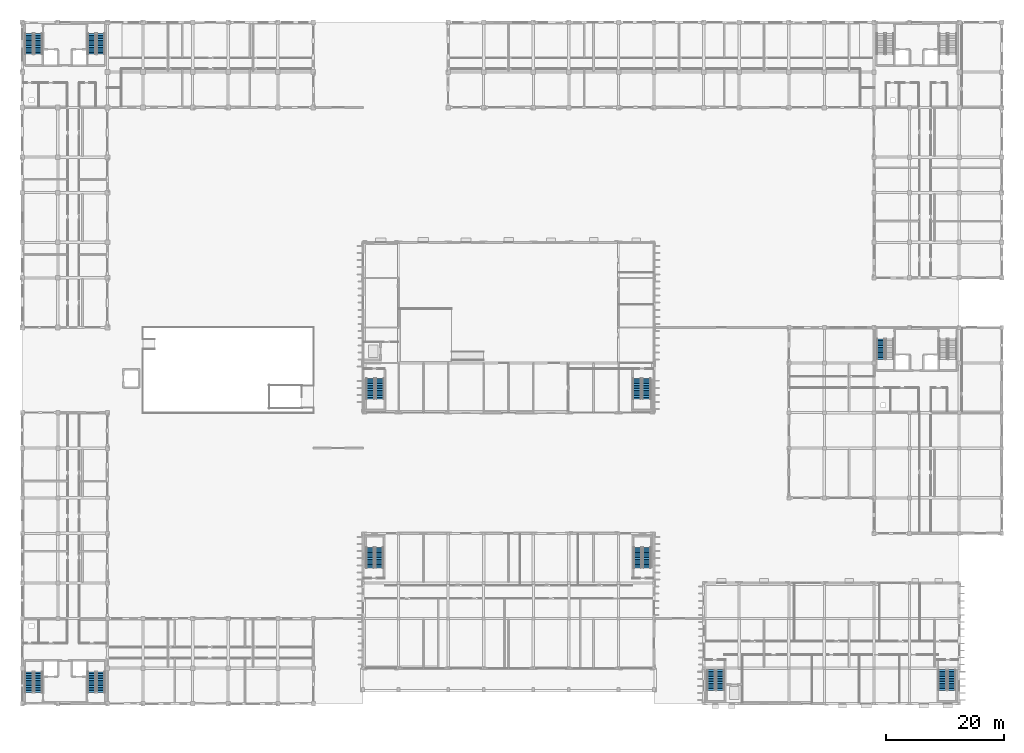
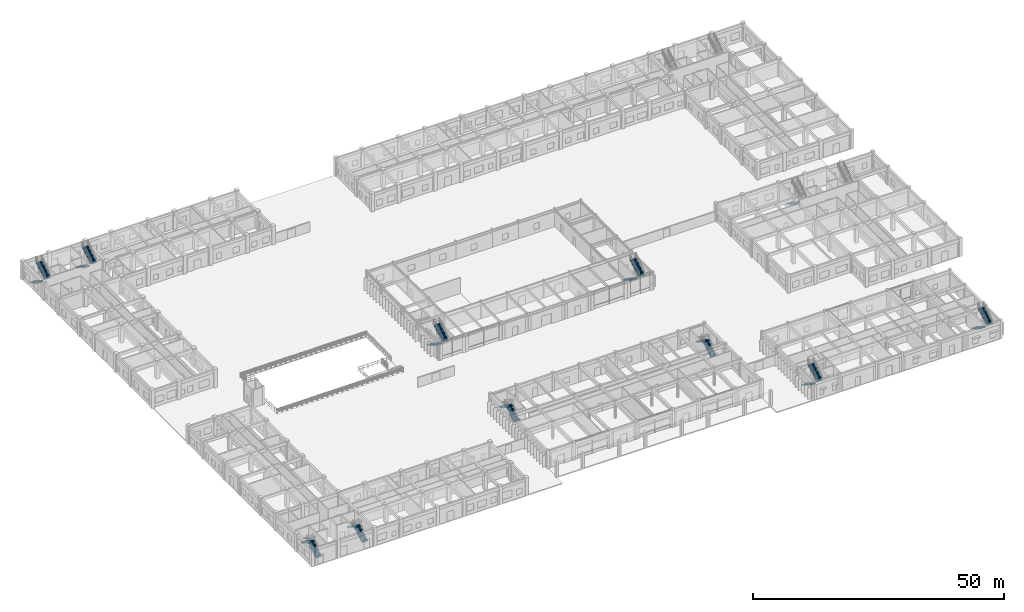
# One storey, part 49 of 67: 21 stair flights, 11 elements without a shape of their own.
"""IFC4 building model written with IfcOpenShell, lengths in metres."""

from ifc_helpers import new_model, si_unit, direction, frame, origin, place, context, subcontext, project, spatial, polyline, outline, extrude, material, type_object, element, aggregate, save


model = new_model("IFC4")

# Units and contexts
model_context = context("Model", 3, precision=1e-05, world=origin(), true_north=direction((0.0, 1.0)))
body_context = subcontext(model_context, "Body", "Model", "MODEL_VIEW")
ifc_project = project(units=[si_unit("LENGTHUNIT", "METRE"), si_unit("AREAUNIT", "SQUARE_METRE"), si_unit("VOLUMEUNIT", "CUBIC_METRE"), si_unit("PLANEANGLEUNIT", "RADIAN"), si_unit("MASSUNIT", "GRAM", prefix="KILO"), si_unit("THERMODYNAMICTEMPERATUREUNIT", "KELVIN")], contexts=[model_context])

# Site, building, storey
site_placement = place(None, origin())
site = spatial("IfcSite", under=ifc_project, at=site_placement, CompositionType="ELEMENT")
building_placement = place(site_placement, origin())
building = spatial("IfcBuilding", under=site, at=building_placement, Name="Thalorik Housing Commons", CompositionType="ELEMENT")
storey_placement = place(building_placement, origin())
storey = spatial("IfcBuildingStorey", under=building, at=storey_placement, Name="L00", CompositionType="ELEMENT", Elevation=0.0)

# Stair, stair flights
ifc_material = material(Name="Precast concrete C40/50", Category="concrete")
stair_type_1 = type_object("IfcStairType", Name="ARC-STR-1350-R26", PredefinedType="HALF_TURN_STAIR", material=ifc_material)
stair_1_placement = place(storey_placement, origin())
stair_1 = element("IfcStair", 1, at=stair_1_placement, inside=storey, type_object=stair_type_1, Name="L00 Block A Smoke-Proof Stair 1", PredefinedType="HALF_TURN_STAIR")
stair_flight_type_1 = type_object("IfcStairFlightType", Name="ARC-SFLT-1350-R13", PredefinedType="STRAIGHT", material=ifc_material)
stair_flight_1_placement = place(storey_placement, frame((9.52490234375, 121.699951171875, 0.0), z_axis=(0.0, 0.0, 1.0), x_axis=(0.0, -1.0, 0.0)))
stair_flight_1 = element("IfcStairFlight", 2, at=stair_flight_1_placement, type_object=stair_flight_type_1, Name="ST-A1 flight 1", NumberOfRisers=13, NumberOfTreads=12, PredefinedType="STRAIGHT", RiserHeight=0.173076923, TreadLength=0.29, context=body_context, shape_type="SweptSolid", body=[
    extrude(outline(polyline([(0.0, 0.0), (0.0, 0.173095703125), (0.2900390625, 0.173095703125), (0.2900390625, 0.34619140625), (0.580078125, 0.34619140625), (0.580078125, 0.519287109375), (0.8701171875, 0.519287109375), (0.8701171875, 0.6923828125), (1.159912109375, 0.6923828125), (1.159912109375, 0.865478515625), (1.449951171875, 0.865478515625), (1.449951171875, 1.03857421875), (1.739990234375, 1.03857421875), (1.739990234375, 1.21142578125), (2.030029296875, 1.21142578125), (2.030029296875, 1.384521484375), (2.320068359375, 1.384521484375), (2.320068359375, 1.5576171875), (2.610107421875, 1.5576171875), (2.610107421875, 1.730712890625), (2.89990234375, 1.730712890625), (2.89990234375, 1.90380859375), (3.18994140625, 1.90380859375), (3.18994140625, 2.076904296875), (3.47998046875, 2.076904296875), (3.47998046875, 2.25), (3.47998046875, 1.890625), (0.31201171875, 0.0), (0.0, 0.0)])), frame((0.0, 0.675048828125, 0.0), z_axis=(0.0, -1.0, 0.0), x_axis=(1.0, 0.0, 0.0)), (0.0, 0.0, 1.0), 1.35009765625),
])
stair_flight_2_placement = place(storey_placement, frame((11.074951171875, 118.219970703125, 2.25), z_axis=(0.0, 0.0, 1.0), x_axis=(0.0, 1.0, 0.0)))
stair_flight_2 = element("IfcStairFlight", 3, at=stair_flight_2_placement, type_object=stair_flight_type_1, Name="ST-A1 flight 2", NumberOfRisers=13, NumberOfTreads=12, PredefinedType="STRAIGHT", RiserHeight=0.173076923, TreadLength=0.29, context=body_context, shape_type="SweptSolid", body=[
    extrude(outline(polyline([(0.0, 0.0), (0.0, 0.173095703125), (0.2900390625, 0.173095703125), (0.2900390625, 0.34619140625), (0.580078125, 0.34619140625), (0.580078125, 0.519287109375), (0.8701171875, 0.519287109375), (0.8701171875, 0.6923828125), (1.159912109375, 0.6923828125), (1.159912109375, 0.865478515625), (1.449951171875, 0.865478515625), (1.449951171875, 1.03857421875), (1.739990234375, 1.03857421875), (1.739990234375, 1.21142578125), (2.030029296875, 1.21142578125), (2.030029296875, 1.384521484375), (2.320068359375, 1.384521484375), (2.320068359375, 1.5576171875), (2.610107421875, 1.5576171875), (2.610107421875, 1.730712890625), (2.89990234375, 1.730712890625), (2.89990234375, 1.90380859375), (3.18994140625, 1.90380859375), (3.18994140625, 2.076904296875), (3.47998046875, 2.076904296875), (3.47998046875, 2.25), (3.47998046875, 1.890625), (0.31201171875, 0.0), (0.0, 0.0)])), frame((0.0, 0.675048828125, 0.0), z_axis=(0.0, -1.0, 0.0), x_axis=(1.0, 0.0, 0.0)), (0.0, 0.0, 1.0), 1.35009765625),
])
aggregate(stair_1, [stair_flight_1, stair_flight_2])

stair_2_placement = place(storey_placement, origin())
stair_2 = element("IfcStair", 4, at=stair_2_placement, inside=storey, type_object=stair_type_1, Name="L00 Block A Smoke-Proof Stair 2", PredefinedType="HALF_TURN_STAIR")
stair_flight_3_placement = place(storey_placement, frame((20.125, 121.699951171875, 0.0), z_axis=(0.0, 0.0, 1.0), x_axis=(0.0, -1.0, 0.0)))
stair_flight_3 = element("IfcStairFlight", 5, at=stair_flight_3_placement, type_object=stair_flight_type_1, Name="ST-A2 flight 1", NumberOfRisers=13, NumberOfTreads=12, PredefinedType="STRAIGHT", RiserHeight=0.173076923, TreadLength=0.29, context=body_context, shape_type="SweptSolid", body=[
    extrude(outline(polyline([(0.0, 0.0), (0.0, 0.173095703125), (0.2900390625, 0.173095703125), (0.2900390625, 0.34619140625), (0.580078125, 0.34619140625), (0.580078125, 0.519287109375), (0.8701171875, 0.519287109375), (0.8701171875, 0.6923828125), (1.159912109375, 0.6923828125), (1.159912109375, 0.865478515625), (1.449951171875, 0.865478515625), (1.449951171875, 1.03857421875), (1.739990234375, 1.03857421875), (1.739990234375, 1.21142578125), (2.030029296875, 1.21142578125), (2.030029296875, 1.384521484375), (2.320068359375, 1.384521484375), (2.320068359375, 1.5576171875), (2.610107421875, 1.5576171875), (2.610107421875, 1.730712890625), (2.89990234375, 1.730712890625), (2.89990234375, 1.90380859375), (3.18994140625, 1.90380859375), (3.18994140625, 2.076904296875), (3.47998046875, 2.076904296875), (3.47998046875, 2.25), (3.47998046875, 1.890625), (0.31201171875, 0.0), (0.0, 0.0)])), frame((0.0, 0.675048828125, 0.0), z_axis=(0.0, -1.0, 0.0), x_axis=(1.0, 0.0, 0.0)), (0.0, 0.0, 1.0), 1.35009765625),
])
stair_flight_4_placement = place(storey_placement, frame((21.675048828125, 118.219970703125, 2.25), z_axis=(0.0, 0.0, 1.0), x_axis=(0.0, 1.0, 0.0)))
stair_flight_4 = element("IfcStairFlight", 6, at=stair_flight_4_placement, type_object=stair_flight_type_1, Name="ST-A2 flight 2", NumberOfRisers=13, NumberOfTreads=12, PredefinedType="STRAIGHT", RiserHeight=0.173076923, TreadLength=0.29, context=body_context, shape_type="SweptSolid", body=[
    extrude(outline(polyline([(0.0, 0.0), (0.0, 0.173095703125), (0.2900390625, 0.173095703125), (0.2900390625, 0.34619140625), (0.580078125, 0.34619140625), (0.580078125, 0.519287109375), (0.8701171875, 0.519287109375), (0.8701171875, 0.6923828125), (1.159912109375, 0.6923828125), (1.159912109375, 0.865478515625), (1.449951171875, 0.865478515625), (1.449951171875, 1.03857421875), (1.739990234375, 1.03857421875), (1.739990234375, 1.21142578125), (2.030029296875, 1.21142578125), (2.030029296875, 1.384521484375), (2.320068359375, 1.384521484375), (2.320068359375, 1.5576171875), (2.610107421875, 1.5576171875), (2.610107421875, 1.730712890625), (2.89990234375, 1.730712890625), (2.89990234375, 1.90380859375), (3.18994140625, 1.90380859375), (3.18994140625, 2.076904296875), (3.47998046875, 2.076904296875), (3.47998046875, 2.25), (3.47998046875, 1.890625), (0.31201171875, 0.0), (0.0, 0.0)])), frame((0.0, 0.675048828125, 0.0), z_axis=(0.0, -1.0, 0.0), x_axis=(1.0, 0.0, 0.0)), (0.0, 0.0, 1.0), 1.35009765625),
])
aggregate(stair_2, [stair_flight_3, stair_flight_4])

stair_3_placement = place(storey_placement, origin())
stair_3 = element("IfcStair", 7, at=stair_3_placement, inside=storey, type_object=stair_type_1, Name="L00 Block C Smoke-Proof Stair 1", PredefinedType="HALF_TURN_STAIR")
stair_flight_5_placement = place(storey_placement, frame((11.074951171875, 10.300048828125, 0.0), z_axis=(0.0, 0.0, 1.0), x_axis=(0.0, 1.0, 0.0)))
stair_flight_5 = element("IfcStairFlight", 8, at=stair_flight_5_placement, type_object=stair_flight_type_1, Name="ST-C1 flight 1", NumberOfRisers=13, NumberOfTreads=12, PredefinedType="STRAIGHT", RiserHeight=0.173076923, TreadLength=0.29, context=body_context, shape_type="SweptSolid", body=[
    extrude(outline(polyline([(0.0, 0.0), (0.0, 0.173095703125), (0.2900390625, 0.173095703125), (0.2900390625, 0.34619140625), (0.580078125, 0.34619140625), (0.580078125, 0.519287109375), (0.8701171875, 0.519287109375), (0.8701171875, 0.6923828125), (1.159912109375, 0.6923828125), (1.159912109375, 0.865478515625), (1.449951171875, 0.865478515625), (1.449951171875, 1.03857421875), (1.739990234375, 1.03857421875), (1.739990234375, 1.21142578125), (2.030029296875, 1.21142578125), (2.030029296875, 1.384521484375), (2.320068359375, 1.384521484375), (2.320068359375, 1.5576171875), (2.610107421875, 1.5576171875), (2.610107421875, 1.730712890625), (2.89990234375, 1.730712890625), (2.89990234375, 1.90380859375), (3.18994140625, 1.90380859375), (3.18994140625, 2.076904296875), (3.47998046875, 2.076904296875), (3.47998046875, 2.25), (3.47998046875, 1.890625), (0.31201171875, 0.0), (0.0, 0.0)])), frame((0.0, 0.675048828125, 0.0), z_axis=(0.0, -1.0, 0.0), x_axis=(1.0, 0.0, 0.0)), (0.0, 0.0, 1.0), 1.35009765625),
])
stair_flight_6_placement = place(storey_placement, frame((9.52490234375, 13.780029296875, 2.25), z_axis=(0.0, 0.0, 1.0), x_axis=(0.0, -1.0, 0.0)))
stair_flight_6 = element("IfcStairFlight", 9, at=stair_flight_6_placement, type_object=stair_flight_type_1, Name="ST-C1 flight 2", NumberOfRisers=13, NumberOfTreads=12, PredefinedType="STRAIGHT", RiserHeight=0.173076923, TreadLength=0.29, context=body_context, shape_type="SweptSolid", body=[
    extrude(outline(polyline([(0.0, 0.0), (0.0, 0.173095703125), (0.2900390625, 0.173095703125), (0.2900390625, 0.34619140625), (0.580078125, 0.34619140625), (0.580078125, 0.519287109375), (0.8701171875, 0.519287109375), (0.8701171875, 0.6923828125), (1.159912109375, 0.6923828125), (1.159912109375, 0.865478515625), (1.449951171875, 0.865478515625), (1.449951171875, 1.03857421875), (1.739990234375, 1.03857421875), (1.739990234375, 1.21142578125), (2.030029296875, 1.21142578125), (2.030029296875, 1.384521484375), (2.320068359375, 1.384521484375), (2.320068359375, 1.5576171875), (2.610107421875, 1.5576171875), (2.610107421875, 1.730712890625), (2.89990234375, 1.730712890625), (2.89990234375, 1.90380859375), (3.18994140625, 1.90380859375), (3.18994140625, 2.076904296875), (3.47998046875, 2.076904296875), (3.47998046875, 2.25), (3.47998046875, 1.890625), (0.31201171875, 0.0), (0.0, 0.0)])), frame((0.0, 0.675048828125, 0.0), z_axis=(0.0, -1.0, 0.0), x_axis=(1.0, 0.0, 0.0)), (0.0, 0.0, 1.0), 1.35009765625),
])
aggregate(stair_3, [stair_flight_5, stair_flight_6])

stair_4_placement = place(storey_placement, origin())
stair_4 = element("IfcStair", 10, at=stair_4_placement, inside=storey, type_object=stair_type_1, Name="L00 Block C Smoke-Proof Stair 2", PredefinedType="HALF_TURN_STAIR")
stair_flight_7_placement = place(storey_placement, frame((21.675048828125, 10.300048828125, 0.0), z_axis=(0.0, 0.0, 1.0), x_axis=(0.0, 1.0, 0.0)))
stair_flight_7 = element("IfcStairFlight", 11, at=stair_flight_7_placement, type_object=stair_flight_type_1, Name="ST-C2 flight 1", NumberOfRisers=13, NumberOfTreads=12, PredefinedType="STRAIGHT", RiserHeight=0.173076923, TreadLength=0.29, context=body_context, shape_type="SweptSolid", body=[
    extrude(outline(polyline([(0.0, 0.0), (0.0, 0.173095703125), (0.2900390625, 0.173095703125), (0.2900390625, 0.34619140625), (0.580078125, 0.34619140625), (0.580078125, 0.519287109375), (0.8701171875, 0.519287109375), (0.8701171875, 0.6923828125), (1.159912109375, 0.6923828125), (1.159912109375, 0.865478515625), (1.449951171875, 0.865478515625), (1.449951171875, 1.03857421875), (1.739990234375, 1.03857421875), (1.739990234375, 1.21142578125), (2.030029296875, 1.21142578125), (2.030029296875, 1.384521484375), (2.320068359375, 1.384521484375), (2.320068359375, 1.5576171875), (2.610107421875, 1.5576171875), (2.610107421875, 1.730712890625), (2.89990234375, 1.730712890625), (2.89990234375, 1.90380859375), (3.18994140625, 1.90380859375), (3.18994140625, 2.076904296875), (3.47998046875, 2.076904296875), (3.47998046875, 2.25), (3.47998046875, 1.890625), (0.31201171875, 0.0), (0.0, 0.0)])), frame((0.0, 0.675048828125, 0.0), z_axis=(0.0, -1.0, 0.0), x_axis=(1.0, 0.0, 0.0)), (0.0, 0.0, 1.0), 1.35009765625),
])
stair_flight_8_placement = place(storey_placement, frame((20.125, 13.780029296875, 2.25), z_axis=(0.0, 0.0, 1.0), x_axis=(0.0, -1.0, 0.0)))
stair_flight_8 = element("IfcStairFlight", 12, at=stair_flight_8_placement, type_object=stair_flight_type_1, Name="ST-C2 flight 2", NumberOfRisers=13, NumberOfTreads=12, PredefinedType="STRAIGHT", RiserHeight=0.173076923, TreadLength=0.29, context=body_context, shape_type="SweptSolid", body=[
    extrude(outline(polyline([(0.0, 0.0), (0.0, 0.173095703125), (0.2900390625, 0.173095703125), (0.2900390625, 0.34619140625), (0.580078125, 0.34619140625), (0.580078125, 0.519287109375), (0.8701171875, 0.519287109375), (0.8701171875, 0.6923828125), (1.159912109375, 0.6923828125), (1.159912109375, 0.865478515625), (1.449951171875, 0.865478515625), (1.449951171875, 1.03857421875), (1.739990234375, 1.03857421875), (1.739990234375, 1.21142578125), (2.030029296875, 1.21142578125), (2.030029296875, 1.384521484375), (2.320068359375, 1.384521484375), (2.320068359375, 1.5576171875), (2.610107421875, 1.5576171875), (2.610107421875, 1.730712890625), (2.89990234375, 1.730712890625), (2.89990234375, 1.90380859375), (3.18994140625, 1.90380859375), (3.18994140625, 2.076904296875), (3.47998046875, 2.076904296875), (3.47998046875, 2.25), (3.47998046875, 1.890625), (0.31201171875, 0.0), (0.0, 0.0)])), frame((0.0, 0.675048828125, 0.0), z_axis=(0.0, -1.0, 0.0), x_axis=(1.0, 0.0, 0.0)), (0.0, 0.0, 1.0), 1.35009765625),
])
aggregate(stair_4, [stair_flight_7, stair_flight_8])

# Stair, stair flight
stair_5_placement = place(storey_placement, origin())
stair_5 = element("IfcStair", 13, at=stair_5_placement, inside=storey, type_object=stair_type_1, Name="L00 Block D Smoke-Proof Stair 1", PredefinedType="HALF_TURN_STAIR")
stair_flight_9_placement = place(storey_placement, frame((153.52490234375, 70.10009765625, 0.0), z_axis=(0.0, 0.0, 1.0), x_axis=(0.0, -1.0, 0.0)))
stair_flight_9 = element("IfcStairFlight", 14, at=stair_flight_9_placement, type_object=stair_flight_type_1, Name="ST-D1 flight 1", NumberOfRisers=13, NumberOfTreads=12, PredefinedType="STRAIGHT", RiserHeight=0.173076923, TreadLength=0.29, context=body_context, shape_type="SweptSolid", body=[
    extrude(outline(polyline([(0.0, 0.0), (0.0, 0.173095703125), (0.2900390625, 0.173095703125), (0.2900390625, 0.34619140625), (0.580078125, 0.34619140625), (0.580078125, 0.519287109375), (0.8701171875, 0.519287109375), (0.8701171875, 0.6923828125), (1.159912109375, 0.6923828125), (1.159912109375, 0.865478515625), (1.449951171875, 0.865478515625), (1.449951171875, 1.03857421875), (1.739990234375, 1.03857421875), (1.739990234375, 1.21142578125), (2.030029296875, 1.21142578125), (2.030029296875, 1.384521484375), (2.320068359375, 1.384521484375), (2.320068359375, 1.5576171875), (2.610107421875, 1.5576171875), (2.610107421875, 1.730712890625), (2.89990234375, 1.730712890625), (2.89990234375, 1.90380859375), (3.18994140625, 1.90380859375), (3.18994140625, 2.076904296875), (3.47998046875, 2.076904296875), (3.47998046875, 2.25), (3.47998046875, 1.890625), (0.31201171875, 0.0), (0.0, 0.0)])), frame((0.0, 0.675048828125, 0.0), z_axis=(0.0, -1.0, 0.0), x_axis=(1.0, 0.0, 0.0)), (0.0, 0.0, 1.0), 1.35009765625),
])
aggregate(stair_5, [stair_flight_9])

# Stair, stair flights
stair_6_placement = place(storey_placement, origin())
stair_6 = element("IfcStair", 15, at=stair_6_placement, inside=storey, type_object=stair_type_1, Name="L00 Nursery West Stair", PredefinedType="HALF_TURN_STAIR")
stair_flight_10_placement = place(storey_placement, frame((124.875, 14.14990234375, 0.0), z_axis=(0.0, 0.0, 1.0), x_axis=(0.0, -1.0, 0.0)))
stair_flight_10 = element("IfcStairFlight", 16, at=stair_flight_10_placement, type_object=stair_flight_type_1, Name="ST-N1 flight 1", NumberOfRisers=13, NumberOfTreads=12, PredefinedType="STRAIGHT", RiserHeight=0.173076923, TreadLength=0.29, context=body_context, shape_type="SweptSolid", body=[
    extrude(outline(polyline([(0.0, 0.0), (0.0, 0.173095703125), (0.2900390625, 0.173095703125), (0.2900390625, 0.34619140625), (0.580078125, 0.34619140625), (0.580078125, 0.519287109375), (0.8701171875, 0.519287109375), (0.8701171875, 0.6923828125), (1.159912109375, 0.6923828125), (1.159912109375, 0.865478515625), (1.449951171875, 0.865478515625), (1.449951171875, 1.03857421875), (1.739990234375, 1.03857421875), (1.739990234375, 1.21142578125), (2.030029296875, 1.21142578125), (2.030029296875, 1.384521484375), (2.320068359375, 1.384521484375), (2.320068359375, 1.5576171875), (2.610107421875, 1.5576171875), (2.610107421875, 1.730712890625), (2.89990234375, 1.730712890625), (2.89990234375, 1.90380859375), (3.18994140625, 1.90380859375), (3.18994140625, 2.076904296875), (3.47998046875, 2.076904296875), (3.47998046875, 2.25), (3.47998046875, 1.90234375), (0.29248046875, 0.0), (0.0, 0.0)])), frame((0.0, 0.675048828125, 0.0), z_axis=(0.0, -1.0, 0.0), x_axis=(1.0, 0.0, 0.0)), (0.0, 0.0, 1.0), 1.35009765625),
])
stair_flight_11_placement = place(storey_placement, frame((126.425048828125, 10.669921875, 2.25), z_axis=(0.0, 0.0, 1.0), x_axis=(0.0, 1.0, 0.0)))
stair_flight_11 = element("IfcStairFlight", 17, at=stair_flight_11_placement, type_object=stair_flight_type_1, Name="ST-N1 flight 2", NumberOfRisers=13, NumberOfTreads=12, PredefinedType="STRAIGHT", RiserHeight=0.173076923, TreadLength=0.29, context=body_context, shape_type="SweptSolid", body=[
    extrude(outline(polyline([(0.0, 0.0), (0.0, 0.173095703125), (0.2900390625, 0.173095703125), (0.2900390625, 0.34619140625), (0.580078125, 0.34619140625), (0.580078125, 0.519287109375), (0.8701171875, 0.519287109375), (0.8701171875, 0.6923828125), (1.159912109375, 0.6923828125), (1.159912109375, 0.865478515625), (1.449951171875, 0.865478515625), (1.449951171875, 1.03857421875), (1.739990234375, 1.03857421875), (1.739990234375, 1.21142578125), (2.030029296875, 1.21142578125), (2.030029296875, 1.384521484375), (2.320068359375, 1.384521484375), (2.320068359375, 1.5576171875), (2.610107421875, 1.5576171875), (2.610107421875, 1.730712890625), (2.89990234375, 1.730712890625), (2.89990234375, 1.90380859375), (3.18994140625, 1.90380859375), (3.18994140625, 2.076904296875), (3.47998046875, 2.076904296875), (3.47998046875, 2.25), (3.47998046875, 1.90234375), (0.29248046875, 0.0), (0.0, 0.0)])), frame((0.0, 0.675048828125, 0.0), z_axis=(0.0, -1.0, 0.0), x_axis=(1.0, 0.0, 0.0)), (0.0, 0.0, 1.0), 1.35009765625),
])
aggregate(stair_6, [stair_flight_10, stair_flight_11])

stair_7_placement = place(storey_placement, origin())
stair_7 = element("IfcStair", 18, at=stair_7_placement, inside=storey, type_object=stair_type_1, Name="L00 Nursery East Stair", PredefinedType="HALF_TURN_STAIR")
stair_flight_12_placement = place(storey_placement, frame((163.97509765625, 14.14990234375, 0.0), z_axis=(0.0, 0.0, 1.0), x_axis=(0.0, -1.0, 0.0)))
stair_flight_12 = element("IfcStairFlight", 19, at=stair_flight_12_placement, type_object=stair_flight_type_1, Name="ST-N2 flight 1", NumberOfRisers=13, NumberOfTreads=12, PredefinedType="STRAIGHT", RiserHeight=0.173076923, TreadLength=0.29, context=body_context, shape_type="SweptSolid", body=[
    extrude(outline(polyline([(0.0, 0.0), (0.0, 0.173095703125), (0.2900390625, 0.173095703125), (0.2900390625, 0.34619140625), (0.580078125, 0.34619140625), (0.580078125, 0.519287109375), (0.8701171875, 0.519287109375), (0.8701171875, 0.6923828125), (1.159912109375, 0.6923828125), (1.159912109375, 0.865478515625), (1.449951171875, 0.865478515625), (1.449951171875, 1.03857421875), (1.739990234375, 1.03857421875), (1.739990234375, 1.21142578125), (2.030029296875, 1.21142578125), (2.030029296875, 1.384521484375), (2.320068359375, 1.384521484375), (2.320068359375, 1.5576171875), (2.610107421875, 1.5576171875), (2.610107421875, 1.730712890625), (2.89990234375, 1.730712890625), (2.89990234375, 1.90380859375), (3.18994140625, 1.90380859375), (3.18994140625, 2.076904296875), (3.47998046875, 2.076904296875), (3.47998046875, 2.25), (3.47998046875, 1.90234375), (0.29248046875, 0.0), (0.0, 0.0)])), frame((0.0, 0.675048828125, 0.0), z_axis=(0.0, -1.0, 0.0), x_axis=(1.0, 0.0, 0.0)), (0.0, 0.0, 1.0), 1.35009765625),
])
stair_flight_13_placement = place(storey_placement, frame((165.52490234375, 10.669921875, 2.25), z_axis=(0.0, 0.0, 1.0), x_axis=(0.0, 1.0, 0.0)))
stair_flight_13 = element("IfcStairFlight", 20, at=stair_flight_13_placement, type_object=stair_flight_type_1, Name="ST-N2 flight 2", NumberOfRisers=13, NumberOfTreads=12, PredefinedType="STRAIGHT", RiserHeight=0.173076923, TreadLength=0.29, context=body_context, shape_type="SweptSolid", body=[
    extrude(outline(polyline([(0.0, 0.0), (0.0, 0.173095703125), (0.2900390625, 0.173095703125), (0.2900390625, 0.34619140625), (0.580078125, 0.34619140625), (0.580078125, 0.519287109375), (0.8701171875, 0.519287109375), (0.8701171875, 0.6923828125), (1.159912109375, 0.6923828125), (1.159912109375, 0.865478515625), (1.449951171875, 0.865478515625), (1.449951171875, 1.03857421875), (1.739990234375, 1.03857421875), (1.739990234375, 1.21142578125), (2.030029296875, 1.21142578125), (2.030029296875, 1.384521484375), (2.320068359375, 1.384521484375), (2.320068359375, 1.5576171875), (2.610107421875, 1.5576171875), (2.610107421875, 1.730712890625), (2.89990234375, 1.730712890625), (2.89990234375, 1.90380859375), (3.18994140625, 1.90380859375), (3.18994140625, 2.076904296875), (3.47998046875, 2.076904296875), (3.47998046875, 2.25), (3.47998046875, 1.90234375), (0.29248046875, 0.0), (0.0, 0.0)])), frame((0.0, 0.675048828125, 0.0), z_axis=(0.0, -1.0, 0.0), x_axis=(1.0, 0.0, 0.0)), (0.0, 0.0, 1.0), 1.35009765625),
])
aggregate(stair_7, [stair_flight_12, stair_flight_13])

stair_8_placement = place(storey_placement, origin())
stair_8 = element("IfcStair", 21, at=stair_8_placement, inside=storey, type_object=stair_type_1, Name="L00 Street Shops West Stair", PredefinedType="HALF_TURN_STAIR")
stair_flight_14_placement = place(storey_placement, frame((68.77490234375, 31.35009765625, 0.0), z_axis=(0.0, 0.0, 1.0), x_axis=(0.0, 1.0, 0.0)))
stair_flight_14 = element("IfcStairFlight", 22, at=stair_flight_14_placement, type_object=stair_flight_type_1, Name="ST-S1 flight 1", NumberOfRisers=13, NumberOfTreads=12, PredefinedType="STRAIGHT", RiserHeight=0.173076923, TreadLength=0.29, context=body_context, shape_type="SweptSolid", body=[
    extrude(outline(polyline([(0.0, 0.0), (0.0, 0.173095703125), (0.2900390625, 0.173095703125), (0.2900390625, 0.34619140625), (0.580078125, 0.34619140625), (0.580078125, 0.519287109375), (0.8701171875, 0.519287109375), (0.8701171875, 0.6923828125), (1.159912109375, 0.6923828125), (1.159912109375, 0.865478515625), (1.449951171875, 0.865478515625), (1.449951171875, 1.03857421875), (1.739990234375, 1.03857421875), (1.739990234375, 1.21142578125), (2.030029296875, 1.21142578125), (2.030029296875, 1.384521484375), (2.320068359375, 1.384521484375), (2.320068359375, 1.5576171875), (2.610107421875, 1.5576171875), (2.610107421875, 1.730712890625), (2.89990234375, 1.730712890625), (2.89990234375, 1.90380859375), (3.18994140625, 1.90380859375), (3.18994140625, 2.076904296875), (3.47998046875, 2.076904296875), (3.47998046875, 2.25), (3.47998046875, 1.90234375), (0.29248046875, 0.0), (0.0, 0.0)])), frame((0.0, 0.675048828125, 0.0), z_axis=(0.0, -1.0, 0.0), x_axis=(1.0, 0.0, 0.0)), (0.0, 0.0, 1.0), 1.35009765625),
])
stair_flight_15_placement = place(storey_placement, frame((67.22509765625, 34.830078125, 2.25), z_axis=(0.0, 0.0, 1.0), x_axis=(0.0, -1.0, 0.0)))
stair_flight_15 = element("IfcStairFlight", 23, at=stair_flight_15_placement, type_object=stair_flight_type_1, Name="ST-S1 flight 2", NumberOfRisers=13, NumberOfTreads=12, PredefinedType="STRAIGHT", RiserHeight=0.173076923, TreadLength=0.29, context=body_context, shape_type="SweptSolid", body=[
    extrude(outline(polyline([(0.0, 0.0), (0.0, 0.173095703125), (0.2900390625, 0.173095703125), (0.2900390625, 0.34619140625), (0.580078125, 0.34619140625), (0.580078125, 0.519287109375), (0.8701171875, 0.519287109375), (0.8701171875, 0.6923828125), (1.159912109375, 0.6923828125), (1.159912109375, 0.865478515625), (1.449951171875, 0.865478515625), (1.449951171875, 1.03857421875), (1.739990234375, 1.03857421875), (1.739990234375, 1.21142578125), (2.030029296875, 1.21142578125), (2.030029296875, 1.384521484375), (2.320068359375, 1.384521484375), (2.320068359375, 1.5576171875), (2.610107421875, 1.5576171875), (2.610107421875, 1.730712890625), (2.89990234375, 1.730712890625), (2.89990234375, 1.90380859375), (3.18994140625, 1.90380859375), (3.18994140625, 2.076904296875), (3.47998046875, 2.076904296875), (3.47998046875, 2.25), (3.47998046875, 1.90234375), (0.29248046875, 0.0), (0.0, 0.0)])), frame((0.0, 0.675048828125, 0.0), z_axis=(0.0, -1.0, 0.0), x_axis=(1.0, 0.0, 0.0)), (0.0, 0.0, 1.0), 1.35009765625),
])
aggregate(stair_8, [stair_flight_14, stair_flight_15])

stair_9_placement = place(storey_placement, origin())
stair_9 = element("IfcStair", 24, at=stair_9_placement, inside=storey, type_object=stair_type_1, Name="L00 Street Shops East Stair", PredefinedType="HALF_TURN_STAIR")
stair_flight_16_placement = place(storey_placement, frame((113.97509765625, 31.35009765625, 0.0), z_axis=(0.0, 0.0, 1.0), x_axis=(0.0, 1.0, 0.0)))
stair_flight_16 = element("IfcStairFlight", 25, at=stair_flight_16_placement, type_object=stair_flight_type_1, Name="ST-S2 flight 1", NumberOfRisers=13, NumberOfTreads=12, PredefinedType="STRAIGHT", RiserHeight=0.173076923, TreadLength=0.29, context=body_context, shape_type="SweptSolid", body=[
    extrude(outline(polyline([(0.0, 0.0), (0.0, 0.173095703125), (0.2900390625, 0.173095703125), (0.2900390625, 0.34619140625), (0.580078125, 0.34619140625), (0.580078125, 0.519287109375), (0.8701171875, 0.519287109375), (0.8701171875, 0.6923828125), (1.159912109375, 0.6923828125), (1.159912109375, 0.865478515625), (1.449951171875, 0.865478515625), (1.449951171875, 1.03857421875), (1.739990234375, 1.03857421875), (1.739990234375, 1.21142578125), (2.030029296875, 1.21142578125), (2.030029296875, 1.384521484375), (2.320068359375, 1.384521484375), (2.320068359375, 1.5576171875), (2.610107421875, 1.5576171875), (2.610107421875, 1.730712890625), (2.89990234375, 1.730712890625), (2.89990234375, 1.90380859375), (3.18994140625, 1.90380859375), (3.18994140625, 2.076904296875), (3.47998046875, 2.076904296875), (3.47998046875, 2.25), (3.47998046875, 1.90234375), (0.29248046875, 0.0), (0.0, 0.0)])), frame((0.0, 0.675048828125, 0.0), z_axis=(0.0, -1.0, 0.0), x_axis=(1.0, 0.0, 0.0)), (0.0, 0.0, 1.0), 1.35009765625),
])
stair_flight_17_placement = place(storey_placement, frame((112.425048828125, 34.830078125, 2.25), z_axis=(0.0, 0.0, 1.0), x_axis=(0.0, -1.0, 0.0)))
stair_flight_17 = element("IfcStairFlight", 26, at=stair_flight_17_placement, type_object=stair_flight_type_1, Name="ST-S2 flight 2", NumberOfRisers=13, NumberOfTreads=12, PredefinedType="STRAIGHT", RiserHeight=0.173076923, TreadLength=0.29, context=body_context, shape_type="SweptSolid", body=[
    extrude(outline(polyline([(0.0, 0.0), (0.0, 0.173095703125), (0.2900390625, 0.173095703125), (0.2900390625, 0.34619140625), (0.580078125, 0.34619140625), (0.580078125, 0.519287109375), (0.8701171875, 0.519287109375), (0.8701171875, 0.6923828125), (1.159912109375, 0.6923828125), (1.159912109375, 0.865478515625), (1.449951171875, 0.865478515625), (1.449951171875, 1.03857421875), (1.739990234375, 1.03857421875), (1.739990234375, 1.21142578125), (2.030029296875, 1.21142578125), (2.030029296875, 1.384521484375), (2.320068359375, 1.384521484375), (2.320068359375, 1.5576171875), (2.610107421875, 1.5576171875), (2.610107421875, 1.730712890625), (2.89990234375, 1.730712890625), (2.89990234375, 1.90380859375), (3.18994140625, 1.90380859375), (3.18994140625, 2.076904296875), (3.47998046875, 2.076904296875), (3.47998046875, 2.25), (3.47998046875, 1.90234375), (0.29248046875, 0.0), (0.0, 0.0)])), frame((0.0, 0.675048828125, 0.0), z_axis=(0.0, -1.0, 0.0), x_axis=(1.0, 0.0, 0.0)), (0.0, 0.0, 1.0), 1.35009765625),
])
aggregate(stair_9, [stair_flight_16, stair_flight_17])

stair_type_2 = type_object("IfcStairType", Name="ARC-STR-1400-R26", PredefinedType="HALF_TURN_STAIR", material=ifc_material)
stair_10_placement = place(storey_placement, origin())
stair_10 = element("IfcStair", 27, at=stair_10_placement, inside=storey, type_object=stair_type_2, Name="L00 Community Hall West Stair", PredefinedType="HALF_TURN_STAIR")
stair_flight_type_2 = type_object("IfcStairFlightType", Name="ARC-SFLT-1400-R13", PredefinedType="STRAIGHT", material=ifc_material)
stair_flight_18_placement = place(storey_placement, frame((67.25, 63.39990234375, 0.0), z_axis=(0.0, 0.0, 1.0), x_axis=(0.0, -1.0, 0.0)))
stair_flight_18 = element("IfcStairFlight", 28, at=stair_flight_18_placement, type_object=stair_flight_type_2, Name="ST-H1 flight 1", NumberOfRisers=13, NumberOfTreads=12, PredefinedType="STRAIGHT", RiserHeight=0.173076923, TreadLength=0.29, context=body_context, shape_type="SweptSolid", body=[
    extrude(outline(polyline([(0.0, 0.0), (0.0, 0.173095703125), (0.2900390625, 0.173095703125), (0.2900390625, 0.34619140625), (0.580078125, 0.34619140625), (0.580078125, 0.519287109375), (0.8701171875, 0.519287109375), (0.8701171875, 0.6923828125), (1.159912109375, 0.6923828125), (1.159912109375, 0.865478515625), (1.449951171875, 0.865478515625), (1.449951171875, 1.03857421875), (1.739990234375, 1.03857421875), (1.739990234375, 1.21142578125), (2.030029296875, 1.21142578125), (2.030029296875, 1.384521484375), (2.320068359375, 1.384521484375), (2.320068359375, 1.5576171875), (2.610107421875, 1.5576171875), (2.610107421875, 1.730712890625), (2.89990234375, 1.730712890625), (2.89990234375, 1.90380859375), (3.18994140625, 1.90380859375), (3.18994140625, 2.076904296875), (3.47998046875, 2.076904296875), (3.47998046875, 2.25), (3.47998046875, 1.90234375), (0.29248046875, 0.0), (0.0, 0.0)])), frame((0.0, 0.699951171875, 0.0), z_axis=(0.0, -1.0, 0.0), x_axis=(1.0, 0.0, 0.0)), (0.0, 0.0, 1.0), 1.39990234375),
])
stair_flight_19_placement = place(storey_placement, frame((68.85009765625, 59.919921875, 2.25), z_axis=(0.0, 0.0, 1.0), x_axis=(0.0, 1.0, 0.0)))
stair_flight_19 = element("IfcStairFlight", 29, at=stair_flight_19_placement, type_object=stair_flight_type_2, Name="ST-H1 flight 2", NumberOfRisers=13, NumberOfTreads=12, PredefinedType="STRAIGHT", RiserHeight=0.173076923, TreadLength=0.29, context=body_context, shape_type="SweptSolid", body=[
    extrude(outline(polyline([(0.0, 0.0), (0.0, 0.173095703125), (0.2900390625, 0.173095703125), (0.2900390625, 0.34619140625), (0.580078125, 0.34619140625), (0.580078125, 0.519287109375), (0.8701171875, 0.519287109375), (0.8701171875, 0.6923828125), (1.159912109375, 0.6923828125), (1.159912109375, 0.865478515625), (1.449951171875, 0.865478515625), (1.449951171875, 1.03857421875), (1.739990234375, 1.03857421875), (1.739990234375, 1.21142578125), (2.030029296875, 1.21142578125), (2.030029296875, 1.384521484375), (2.320068359375, 1.384521484375), (2.320068359375, 1.5576171875), (2.610107421875, 1.5576171875), (2.610107421875, 1.730712890625), (2.89990234375, 1.730712890625), (2.89990234375, 1.90380859375), (3.18994140625, 1.90380859375), (3.18994140625, 2.076904296875), (3.47998046875, 2.076904296875), (3.47998046875, 2.25), (3.47998046875, 1.90234375), (0.29248046875, 0.0), (0.0, 0.0)])), frame((0.0, 0.699951171875, 0.0), z_axis=(0.0, -1.0, 0.0), x_axis=(1.0, 0.0, 0.0)), (0.0, 0.0, 1.0), 1.39990234375),
])
aggregate(stair_10, [stair_flight_18, stair_flight_19])

stair_11_placement = place(storey_placement, origin())
stair_11 = element("IfcStair", 30, at=stair_11_placement, inside=storey, type_object=stair_type_2, Name="L00 Community Hall East Stair", PredefinedType="HALF_TURN_STAIR")
stair_flight_20_placement = place(storey_placement, frame((112.35009765625, 63.39990234375, 0.0), z_axis=(0.0, 0.0, 1.0), x_axis=(0.0, -1.0, 0.0)))
stair_flight_20 = element("IfcStairFlight", 31, at=stair_flight_20_placement, type_object=stair_flight_type_2, Name="ST-H2 flight 1", NumberOfRisers=13, NumberOfTreads=12, PredefinedType="STRAIGHT", RiserHeight=0.173076923, TreadLength=0.29, context=body_context, shape_type="SweptSolid", body=[
    extrude(outline(polyline([(0.0, 0.0), (0.0, 0.173095703125), (0.2900390625, 0.173095703125), (0.2900390625, 0.34619140625), (0.580078125, 0.34619140625), (0.580078125, 0.519287109375), (0.8701171875, 0.519287109375), (0.8701171875, 0.6923828125), (1.159912109375, 0.6923828125), (1.159912109375, 0.865478515625), (1.449951171875, 0.865478515625), (1.449951171875, 1.03857421875), (1.739990234375, 1.03857421875), (1.739990234375, 1.21142578125), (2.030029296875, 1.21142578125), (2.030029296875, 1.384521484375), (2.320068359375, 1.384521484375), (2.320068359375, 1.5576171875), (2.610107421875, 1.5576171875), (2.610107421875, 1.730712890625), (2.89990234375, 1.730712890625), (2.89990234375, 1.90380859375), (3.18994140625, 1.90380859375), (3.18994140625, 2.076904296875), (3.47998046875, 2.076904296875), (3.47998046875, 2.25), (3.47998046875, 1.90234375), (0.29248046875, 0.0), (0.0, 0.0)])), frame((0.0, 0.699951171875, 0.0), z_axis=(0.0, -1.0, 0.0), x_axis=(1.0, 0.0, 0.0)), (0.0, 0.0, 1.0), 1.39990234375),
])
stair_flight_21_placement = place(storey_placement, frame((113.949951171875, 59.919921875, 2.25), z_axis=(0.0, 0.0, 1.0), x_axis=(0.0, 1.0, 0.0)))
stair_flight_21 = element("IfcStairFlight", 32, at=stair_flight_21_placement, type_object=stair_flight_type_2, Name="ST-H2 flight 2", NumberOfRisers=13, NumberOfTreads=12, PredefinedType="STRAIGHT", RiserHeight=0.173076923, TreadLength=0.29, context=body_context, shape_type="SweptSolid", body=[
    extrude(outline(polyline([(0.0, 0.0), (0.0, 0.173095703125), (0.2900390625, 0.173095703125), (0.2900390625, 0.34619140625), (0.580078125, 0.34619140625), (0.580078125, 0.519287109375), (0.8701171875, 0.519287109375), (0.8701171875, 0.6923828125), (1.159912109375, 0.6923828125), (1.159912109375, 0.865478515625), (1.449951171875, 0.865478515625), (1.449951171875, 1.03857421875), (1.739990234375, 1.03857421875), (1.739990234375, 1.21142578125), (2.030029296875, 1.21142578125), (2.030029296875, 1.384521484375), (2.320068359375, 1.384521484375), (2.320068359375, 1.5576171875), (2.610107421875, 1.5576171875), (2.610107421875, 1.730712890625), (2.89990234375, 1.730712890625), (2.89990234375, 1.90380859375), (3.18994140625, 1.90380859375), (3.18994140625, 2.076904296875), (3.47998046875, 2.076904296875), (3.47998046875, 2.25), (3.47998046875, 1.90234375), (0.29248046875, 0.0), (0.0, 0.0)])), frame((0.0, 0.699951171875, 0.0), z_axis=(0.0, -1.0, 0.0), x_axis=(1.0, 0.0, 0.0)), (0.0, 0.0, 1.0), 1.39990234375),
])
aggregate(stair_11, [stair_flight_20, stair_flight_21])

save(model, "model.ifc")
